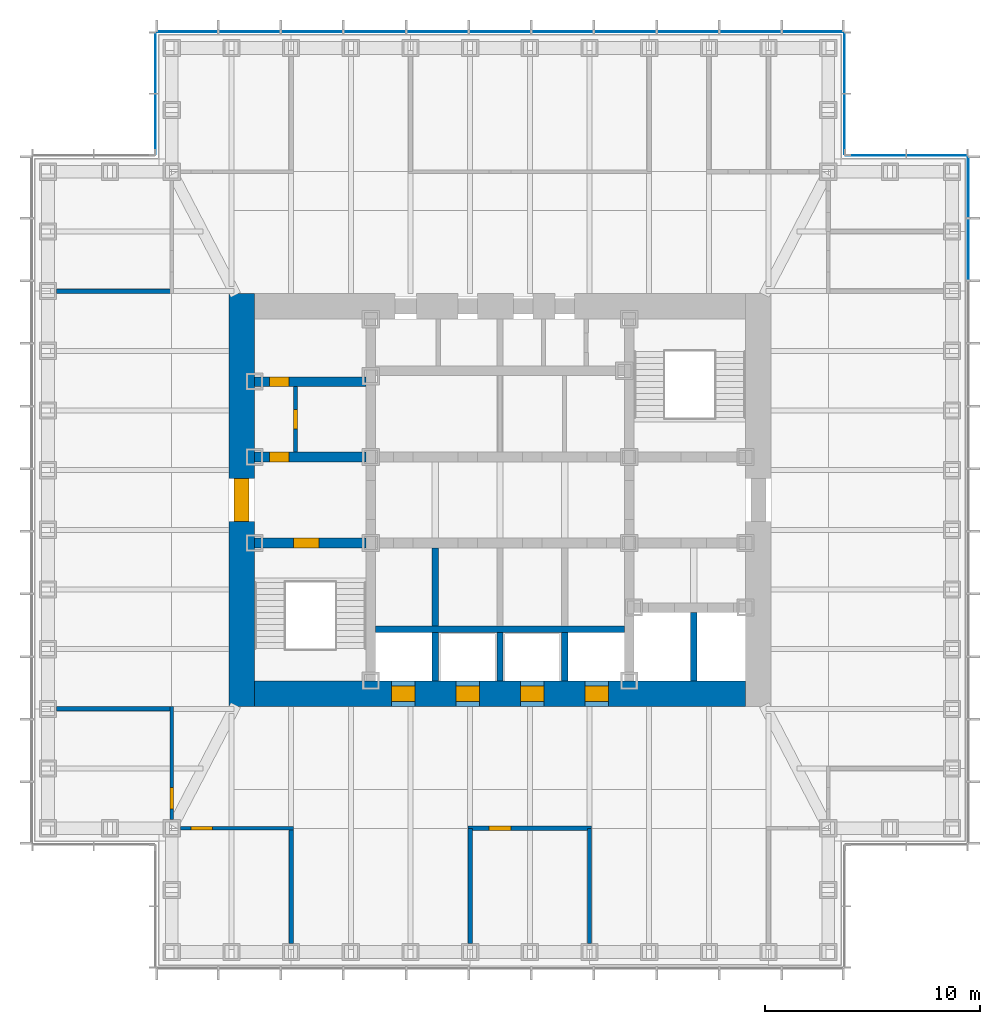
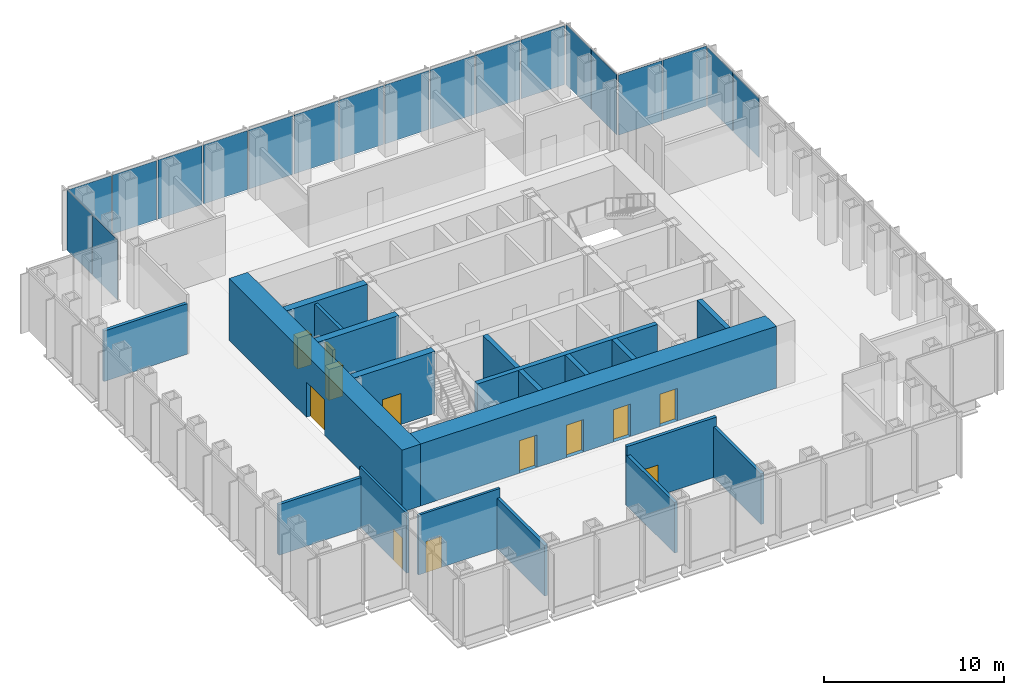
# One storey, part 8 of 16: 20 walls, 19 plates, 12 doors, 12 openings, 5 elements without a shape of their own.
"""IFC4 building model written with IfcOpenShell, lengths in metres."""

import ifcopenshell
import ifcopenshell.guid

model = None  # the IFC model being written
_history = None  # IfcOwnerHistory: only IFC2X3 demands one
_inside = {}  # id of a spatial element -> (the spatial element, [elements in it])
_under = {}  # id of a project, library or spatial element -> (it, [spatial elements below it])
_declared = {}  # id of a project -> (the project, [libraries it declares])
_typed = {}  # id of a type object -> (the type object, [elements of that type])
_made_of = {}  # id of a material, layer set ... -> (it, [elements and type objects made of it])


def new_model(schema):
    """Start an empty IFC model of exactly this schema.

    Asked for "IFC4X3", IfcOpenShell would pick the latest addendum, in which some entities
    have other attributes; the version numbers below select the first issue.
    IFC2X3 requires an IfcOwnerHistory on every rooted entity: one is made here for all.
    """
    global model, _history
    if schema == "IFC4X3":
        model = ifcopenshell.file(schema_version=(4, 3, 0, 0))
    else:
        model = ifcopenshell.file(schema=schema)
    _inside.clear()
    _under.clear()
    _declared.clear()
    _typed.clear()
    _made_of.clear()
    _history = None
    if model.schema == "IFC2X3":
        org = make("IfcOrganization", Name="unknown")
        user = make(
            "IfcPersonAndOrganization",
            ThePerson=make("IfcPerson", FamilyName="unknown"),
            TheOrganization=org,
        )
        app = make(
            "IfcApplication",
            ApplicationDeveloper=org,
            Version="unknown",
            ApplicationFullName="unknown",
            ApplicationIdentifier="unknown",
        )
        _history = make(
            "IfcOwnerHistory",
            OwningUser=user,
            OwningApplication=app,
            ChangeAction="ADDED",
            CreationDate=0,
        )
    return model


def make(cls, **values):
    """One entity of the class cls with the attributes given. An attribute that is None is left unset."""
    return model.create_entity(
        cls, **{name: value for name, value in values.items() if value is not None}
    )


def rooted(cls, **values):
    """An entity with a GlobalId (a new one), such as an element, a storey or a relation."""
    return make(cls, GlobalId=ifcopenshell.guid.new(), OwnerHistory=_history, **values)


def si_unit(unit_type, name, prefix=None):
    """IfcSIUnit, for example si_unit("LENGTHUNIT", "METRE", prefix="MILLI")."""
    return make("IfcSIUnit", UnitType=unit_type, Prefix=prefix, Name=name)


def assignment(units):
    """IfcUnitAssignment: the units of a project."""
    return None if units is None else make("IfcUnitAssignment", Units=units)


def point(xyz):
    """IfcCartesianPoint."""
    return None if xyz is None else make("IfcCartesianPoint", Coordinates=xyz)


def direction(xyz):
    """IfcDirection."""
    return None if xyz is None else make("IfcDirection", DirectionRatios=xyz)


def frame(location, z_axis=None, x_axis=None):
    """IfcAxis2Placement3D, a coordinate frame: its origin and axes. An axis left out is left unset."""
    return make(
        "IfcAxis2Placement3D",
        Location=point(location),
        Axis=direction(z_axis),
        RefDirection=direction(x_axis),
    )


def frame_2d(location, x_axis=None):
    """IfcAxis2Placement2D, a coordinate frame in the plane: its origin and x axis."""
    return make(
        "IfcAxis2Placement2D", Location=point(location), RefDirection=direction(x_axis)
    )


def origin():
    """The frame at (0, 0, 0) with its axes left unset."""
    return frame((0.0, 0.0, 0.0))


def origin_2d():
    """The frame at (0, 0) in the plane with its x axis left unset."""
    return frame_2d((0.0, 0.0))


def place(relative_to, where):
    """IfcLocalPlacement: puts the frame where relative to a parent placement (None: the world)."""
    return make(
        "IfcLocalPlacement", PlacementRelTo=relative_to, RelativePlacement=where
    )


def context(
    kind, dimensions, precision=None, world=None, true_north=None, identifier=None
):
    """IfcGeometricRepresentationContext, for example the 3D "Model" context."""
    return make(
        "IfcGeometricRepresentationContext",
        ContextIdentifier=identifier,
        ContextType=kind,
        CoordinateSpaceDimension=dimensions,
        Precision=precision,
        WorldCoordinateSystem=world,
        TrueNorth=true_north,
    )


def subcontext(parent, identifier, kind, view, scale=None):
    """IfcGeometricRepresentationSubContext, for example "Body" below "Model"."""
    return make(
        "IfcGeometricRepresentationSubContext",
        ContextIdentifier=identifier,
        ContextType=kind,
        ParentContext=parent,
        TargetScale=scale,
        TargetView=view,
    )


def project(units=None, contexts=None):
    """IfcProject with its units and contexts."""
    return rooted(
        "IfcProject",
        Name="project",
        RepresentationContexts=contexts,
        UnitsInContext=assignment(units),
    )


def spatial(cls, under=None, at=None, **own):
    """A site, building, storey or space (cls), placed at a placement, below another one or the project."""
    s = rooted(cls, ObjectPlacement=at, **own)
    if under is not None:
        _under.setdefault(under.id(), (under, []))[1].append(s)
    return s


def profile(cls, at=None, kind="AREA", **sizes):
    """A parametric profile (cls). Its sizes go by their IFC names, for example OverallWidth=200.0."""
    return make(cls, ProfileType=kind, Position=at, **sizes)


def rectangle(**sizes):
    """IfcRectangleProfileDef."""
    return profile("IfcRectangleProfileDef", **sizes)


def extrude(swept, where, along, depth):
    """IfcExtrudedAreaSolid: the profile swept, set in the frame where, extruded along a direction by depth."""
    return make(
        "IfcExtrudedAreaSolid",
        SweptArea=swept,
        Position=where,
        ExtrudedDirection=direction(along),
        Depth=depth,
    )


def shape(context_of_items, identifier, shape_type, items):
    """IfcShapeRepresentation: the items that make up one representation, for example the "Body"."""
    return make(
        "IfcShapeRepresentation",
        ContextOfItems=context_of_items,
        RepresentationIdentifier=identifier,
        RepresentationType=shape_type,
        Items=items,
    )


def material(Name=None, Category=None):
    """IfcMaterial."""
    return make("IfcMaterial", Name=Name, Category=Category)


def layer(
    of_material, thickness, ventilated=None, Name=None, Category=None, Priority=None
):
    """IfcMaterialLayer: one layer of a wall or slab, of a material (None: an air gap)."""
    return make(
        "IfcMaterialLayer",
        Material=of_material,
        LayerThickness=thickness,
        IsVentilated=ventilated,
        Name=Name,
        Category=Category,
        Priority=Priority,
    )


def layer_set(layers, Name=None):
    """IfcMaterialLayerSet."""
    return make("IfcMaterialLayerSet", MaterialLayers=layers, LayerSetName=Name)


def made_of(thing, what):
    """Note that an element or type object is made of a material, layer set ...; save() writes the relation."""
    if what is not None:
        _made_of.setdefault(what.id(), (what, []))[1].append(thing)
    return thing


def type_object(cls, material=None, **own):
    """A type object (cls), such as IfcWallType, which elements share."""
    return made_of(rooted(cls, **own), material)


def element(
    cls,
    number,
    at=None,
    inside=None,
    cuts=None,
    type_object=None,
    material=None,
    context=None,
    identifier="Body",
    shape_type=None,
    held_by="IfcProductDefinitionShape",
    body=None,
    shapes=None,
    **own,
):
    """One element of the class cls, such as IfcWall. Its Tag is "e" and its number.

    at: its placement. inside: the storey or other place that contains it. cuts: it is an
    opening in that element (IfcRelVoidsElement). A single representation is given by context,
    identifier, shape_type and body (its items); several are given by shapes. held_by: the class
    of the entity that holds the representations. save() writes the other relations.
    """
    e = rooted(cls, Tag="e%d" % number, ObjectPlacement=at, **own)
    if body is not None:
        shapes = [shape(context, identifier, shape_type, body)]
    if shapes is not None:
        e.Representation = make(held_by, Representations=shapes)
    if inside is not None:
        _inside.setdefault(inside.id(), (inside, []))[1].append(e)
    if cuts is not None:
        rooted(
            "IfcRelVoidsElement", RelatingBuildingElement=cuts, RelatedOpeningElement=e
        )
    if type_object is not None:
        _typed.setdefault(type_object.id(), (type_object, []))[1].append(e)
    return made_of(e, material)


def fill(opening, filler):
    """IfcRelFillsElement: the door or window that sits in an opening."""
    return rooted(
        "IfcRelFillsElement",
        RelatingOpeningElement=opening,
        RelatedBuildingElement=filler,
    )


def aggregate(whole, parts):
    """IfcRelAggregates: a whole, such as a stair, and the parts it consists of."""
    return rooted("IfcRelAggregates", RelatingObject=whole, RelatedObjects=parts)


def save(model, path):
    """Write the relations noted so far, then the file.

    IfcRelAggregates (storeys below a building ...), IfcRelContainedInSpatialStructure (elements
    in a storey), IfcRelDefinesByType, IfcRelAssociatesMaterial and IfcRelDeclares: one each for
    every whole, place, type object, material and project.
    """
    for whole, parts in _under.values():
        aggregate(whole, parts)
    for where, things in _inside.values():
        rooted(
            "IfcRelContainedInSpatialStructure",
            RelatedElements=things,
            RelatingStructure=where,
        )
    for kind, things in _typed.values():
        rooted("IfcRelDefinesByType", RelatedObjects=things, RelatingType=kind)
    for what, things in _made_of.values():
        rooted("IfcRelAssociatesMaterial", RelatedObjects=things, RelatingMaterial=what)
    for by, libraries in _declared.values():
        rooted("IfcRelDeclares", RelatingContext=by, RelatedDefinitions=libraries)
    model.write(path)


model = new_model("IFC4")

# Units and contexts
model_context = context("Model", 3, precision=1e-05, world=origin(), true_north=direction((0.0, 1.0)))
body_context = subcontext(model_context, "Body", "Model", "MODEL_VIEW")
ifc_project = project(units=[si_unit("LENGTHUNIT", "METRE"), si_unit("AREAUNIT", "SQUARE_METRE"), si_unit("VOLUMEUNIT", "CUBIC_METRE"), si_unit("PLANEANGLEUNIT", "RADIAN"), si_unit("MASSUNIT", "GRAM", prefix="KILO")], contexts=[model_context])

# Site, building, storey
site_placement = place(None, origin())
site = spatial("IfcSite", under=ifc_project, at=site_placement, CompositionType="ELEMENT")
building_placement = place(site_placement, origin())
building = spatial("IfcBuilding", under=site, at=building_placement, Name="Daluyong Arena Tower", CompositionType="ELEMENT")
storey_placement = place(building_placement, frame((0.0, 0.0, 254.5)))
storey = spatial("IfcBuildingStorey", under=building, at=storey_placement, Name="L57", CompositionType="ELEMENT", Elevation=254.5)

# Curtain wall, plates
ifc_material_1 = material(Name="Bronze anodised aluminium and glass", Category="aluminium")
curtain_wall_type_1 = type_object("IfcCurtainWallType", Name="Curtain wall CW4", PredefinedType="USERDEFINED", material=ifc_material_1)
curtain_wall_1_placement = place(storey_placement, origin())
curtain_wall_1 = element("IfcCurtainWall", 1, at=curtain_wall_1_placement, inside=storey, type_object=curtain_wall_type_1, Name="curtain wall L57 E", ObjectType="UNITISED CURTAIN WALL", PredefinedType="USERDEFINED")
ifc_material_2 = material(Name="Tinted laminated double glazed unit", Category="glass")
ifc_layer_1 = layer(ifc_material_2, 0.035888671875)
ifc_layer_set_1 = layer_set([ifc_layer_1], Name="Tinted laminated double glazed unit")
plate_type_1 = type_object("IfcPlateType", Name="CW4 panel 36", PredefinedType="CURTAIN_PANEL", material=ifc_layer_set_1)
plate_1_placement = place(storey_placement, frame((77.75, 91.636474609375, 0.0), z_axis=(0.0, 0.0, 1.0), x_axis=(0.0, 1.0, 0.0)))
plate_1 = element("IfcPlate", 2, at=plate_1_placement, type_object=plate_type_1, Name="curtain wall L57 E panel 10", PredefinedType="CURTAIN_PANEL", context=body_context, shape_type="SweptSolid", body=[
    extrude(rectangle(XDim=2.819091796875, YDim=0.035888671875, at=origin_2d()), origin(), (0.0, 0.0, 1.0), 4.0),
])
plate_2_placement = place(storey_placement, frame((77.75, 94.52294921875, 0.0), z_axis=(0.0, 0.0, 1.0), x_axis=(0.0, 1.0, 0.0)))
plate_2 = element("IfcPlate", 3, at=plate_2_placement, type_object=plate_type_1, Name="curtain wall L57 E panel 11", PredefinedType="CURTAIN_PANEL", context=body_context, shape_type="SweptSolid", body=[
    extrude(rectangle(XDim=2.774169921875, YDim=0.035888671875, at=origin_2d()), origin(), (0.0, 0.0, 1.0), 4.0),
])
aggregate(curtain_wall_1, [plate_1, plate_2])

curtain_wall_2_placement = place(storey_placement, origin())
curtain_wall_2 = element("IfcCurtainWall", 4, at=curtain_wall_2_placement, inside=storey, type_object=curtain_wall_type_1, Name="curtain wall L57 N", ObjectType="UNITISED CURTAIN WALL", PredefinedType="USERDEFINED")
plate_3_placement = place(storey_placement, frame((70.52294921875, 101.75, 0.0), z_axis=(0.0, 0.0, 1.0), x_axis=(-1.0, 0.0, 0.0)))
plate_3 = element("IfcPlate", 5, at=plate_3_placement, type_object=plate_type_1, Name="curtain wall L57 N panel 1", PredefinedType="CURTAIN_PANEL", context=body_context, shape_type="SweptSolid", body=[
    extrude(rectangle(XDim=2.774169921875, YDim=0.035888671875, at=origin_2d()), origin(), (0.0, 0.0, 1.0), 4.0),
])
plate_4_placement = place(storey_placement, frame((67.636474609375, 101.75, 0.0), z_axis=(0.0, 0.0, 1.0), x_axis=(-1.0, 0.0, 0.0)))
plate_4 = element("IfcPlate", 6, at=plate_4_placement, type_object=plate_type_1, Name="curtain wall L57 N panel 2", PredefinedType="CURTAIN_PANEL", context=body_context, shape_type="SweptSolid", body=[
    extrude(rectangle(XDim=2.819091796875, YDim=0.035888671875, at=origin_2d()), origin(), (0.0, 0.0, 1.0), 4.0),
])
plate_5_placement = place(storey_placement, frame((64.727294921875, 101.75, 0.0), z_axis=(0.0, 0.0, 1.0), x_axis=(-1.0, 0.0, 0.0)))
plate_5 = element("IfcPlate", 7, at=plate_5_placement, type_object=plate_type_1, Name="curtain wall L57 N panel 3", PredefinedType="CURTAIN_PANEL", context=body_context, shape_type="SweptSolid", body=[
    extrude(rectangle(XDim=2.819091796875, YDim=0.035888671875, at=origin_2d()), origin(), (0.0, 0.0, 1.0), 4.0),
])
plate_6_placement = place(storey_placement, frame((61.818115234375, 101.75, 0.0), z_axis=(0.0, 0.0, 1.0), x_axis=(-1.0, 0.0, 0.0)))
plate_6 = element("IfcPlate", 8, at=plate_6_placement, type_object=plate_type_1, Name="curtain wall L57 N panel 4", PredefinedType="CURTAIN_PANEL", context=body_context, shape_type="SweptSolid", body=[
    extrude(rectangle(XDim=2.819091796875, YDim=0.035888671875, at=origin_2d()), origin(), (0.0, 0.0, 1.0), 4.0),
])
plate_7_placement = place(storey_placement, frame((58.9091796875, 101.75, 0.0), z_axis=(0.0, 0.0, 1.0), x_axis=(-1.0, 0.0, 0.0)))
plate_7 = element("IfcPlate", 9, at=plate_7_placement, type_object=plate_type_1, Name="curtain wall L57 N panel 5", PredefinedType="CURTAIN_PANEL", context=body_context, shape_type="SweptSolid", body=[
    extrude(rectangle(XDim=2.819091796875, YDim=0.035888671875, at=origin_2d()), origin(), (0.0, 0.0, 1.0), 4.0),
])
plate_8_placement = place(storey_placement, frame((56.0, 101.75, 0.0), z_axis=(0.0, 0.0, 1.0), x_axis=(-1.0, 0.0, 0.0)))
plate_8 = element("IfcPlate", 10, at=plate_8_placement, type_object=plate_type_1, Name="curtain wall L57 N panel 6", PredefinedType="CURTAIN_PANEL", context=body_context, shape_type="SweptSolid", body=[
    extrude(rectangle(XDim=2.819091796875, YDim=0.035888671875, at=origin_2d()), origin(), (0.0, 0.0, 1.0), 4.0),
])
plate_9_placement = place(storey_placement, frame((53.0908203125, 101.75, 0.0), z_axis=(0.0, 0.0, 1.0), x_axis=(-1.0, 0.0, 0.0)))
plate_9 = element("IfcPlate", 11, at=plate_9_placement, type_object=plate_type_1, Name="curtain wall L57 N panel 7", PredefinedType="CURTAIN_PANEL", context=body_context, shape_type="SweptSolid", body=[
    extrude(rectangle(XDim=2.819091796875, YDim=0.035888671875, at=origin_2d()), origin(), (0.0, 0.0, 1.0), 4.0),
])
plate_10_placement = place(storey_placement, frame((50.181884765625, 101.75, 0.0), z_axis=(0.0, 0.0, 1.0), x_axis=(-1.0, 0.0, 0.0)))
plate_10 = element("IfcPlate", 12, at=plate_10_placement, type_object=plate_type_1, Name="curtain wall L57 N panel 8", PredefinedType="CURTAIN_PANEL", context=body_context, shape_type="SweptSolid", body=[
    extrude(rectangle(XDim=2.819091796875, YDim=0.035888671875, at=origin_2d()), origin(), (0.0, 0.0, 1.0), 4.0),
])
plate_11_placement = place(storey_placement, frame((47.272705078125, 101.75, 0.0), z_axis=(0.0, 0.0, 1.0), x_axis=(-1.0, 0.0, 0.0)))
plate_11 = element("IfcPlate", 13, at=plate_11_placement, type_object=plate_type_1, Name="curtain wall L57 N panel 9", PredefinedType="CURTAIN_PANEL", context=body_context, shape_type="SweptSolid", body=[
    extrude(rectangle(XDim=2.819091796875, YDim=0.035888671875, at=origin_2d()), origin(), (0.0, 0.0, 1.0), 4.0),
])
plate_12_placement = place(storey_placement, frame((44.363525390625, 101.75, 0.0), z_axis=(0.0, 0.0, 1.0), x_axis=(-1.0, 0.0, 0.0)))
plate_12 = element("IfcPlate", 14, at=plate_12_placement, type_object=plate_type_1, Name="curtain wall L57 N panel 10", PredefinedType="CURTAIN_PANEL", context=body_context, shape_type="SweptSolid", body=[
    extrude(rectangle(XDim=2.819091796875, YDim=0.035888671875, at=origin_2d()), origin(), (0.0, 0.0, 1.0), 4.0),
])
plate_13_placement = place(storey_placement, frame((41.47705078125, 101.75, 0.0), z_axis=(0.0, 0.0, 1.0), x_axis=(-1.0, 0.0, 0.0)))
plate_13 = element("IfcPlate", 15, at=plate_13_placement, type_object=plate_type_1, Name="curtain wall L57 N panel 11", PredefinedType="CURTAIN_PANEL", context=body_context, shape_type="SweptSolid", body=[
    extrude(rectangle(XDim=2.774169921875, YDim=0.035888671875, at=origin_2d()), origin(), (0.0, 0.0, 1.0), 4.0),
])
aggregate(curtain_wall_2, [plate_3, plate_4, plate_5, plate_6, plate_7, plate_8, plate_9, plate_10, plate_11, plate_12, plate_13])

ifc_material_3 = material(Name="Bronze anodised aluminium and glass", Category="aluminium")
curtain_wall_type_2 = type_object("IfcCurtainWallType", Name="Curtain wall CW7", PredefinedType="USERDEFINED", material=ifc_material_3)
curtain_wall_3_placement = place(storey_placement, origin())
curtain_wall_3 = element("IfcCurtainWall", 16, at=curtain_wall_3_placement, inside=storey, type_object=curtain_wall_type_2, Name="curtain wall L57 NE-N", ObjectType="UNITISED CURTAIN WALL", PredefinedType="USERDEFINED")
ifc_material_4 = material(Name="Tinted double glazed unit", Category="glass")
ifc_layer_2 = layer(ifc_material_4, 0.028076171875)
ifc_layer_set_2 = layer_set([ifc_layer_2], Name="Tinted double glazed unit")
plate_type_2 = type_object("IfcPlateType", Name="CW7 panel 28", PredefinedType="CURTAIN_PANEL", material=ifc_layer_set_2)
plate_14_placement = place(storey_placement, frame((76.297607421875, 96.0, 0.0), z_axis=(0.0, 0.0, 1.0), x_axis=(-1.0, 0.0, 0.0)))
plate_14 = element("IfcPlate", 17, at=plate_14_placement, type_object=plate_type_2, Name="curtain wall L57 NE-N panel 1", PredefinedType="CURTAIN_PANEL", context=body_context, shape_type="SweptSolid", body=[
    extrude(rectangle(XDim=2.784912109375, YDim=0.028076171875, at=origin_2d()), origin(), (0.0, 0.0, 1.0), 4.080078125),
])
plate_15_placement = place(storey_placement, frame((73.452392578125, 96.0, 0.0), z_axis=(0.0, 0.0, 1.0), x_axis=(-1.0, 0.0, 0.0)))
plate_15 = element("IfcPlate", 18, at=plate_15_placement, type_object=plate_type_2, Name="curtain wall L57 NE-N panel 2", PredefinedType="CURTAIN_PANEL", context=body_context, shape_type="SweptSolid", body=[
    extrude(rectangle(XDim=2.784912109375, YDim=0.028076171875, at=origin_2d()), origin(), (0.0, 0.0, 1.0), 4.080078125),
])
aggregate(curtain_wall_3, [plate_14, plate_15])

curtain_wall_4_placement = place(storey_placement, origin())
curtain_wall_4 = element("IfcCurtainWall", 19, at=curtain_wall_4_placement, inside=storey, type_object=curtain_wall_type_2, Name="curtain wall L57 NE-E", ObjectType="UNITISED CURTAIN WALL", PredefinedType="USERDEFINED")
plate_16_placement = place(storey_placement, frame((72.0, 97.452392578125, 0.0), z_axis=(0.0, 0.0, 1.0), x_axis=(0.0, 1.0, 0.0)))
plate_16 = element("IfcPlate", 20, at=plate_16_placement, type_object=plate_type_2, Name="curtain wall L57 NE-E panel 1", PredefinedType="CURTAIN_PANEL", context=body_context, shape_type="SweptSolid", body=[
    extrude(rectangle(XDim=2.784912109375, YDim=0.028076171875, at=origin_2d()), origin(), (0.0, 0.0, 1.0), 4.080078125),
])
plate_17_placement = place(storey_placement, frame((72.0, 100.297607421875, 0.0), z_axis=(0.0, 0.0, 1.0), x_axis=(0.0, 1.0, 0.0)))
plate_17 = element("IfcPlate", 21, at=plate_17_placement, type_object=plate_type_2, Name="curtain wall L57 NE-E panel 2", PredefinedType="CURTAIN_PANEL", context=body_context, shape_type="SweptSolid", body=[
    extrude(rectangle(XDim=2.784912109375, YDim=0.028076171875, at=origin_2d()), origin(), (0.0, 0.0, 1.0), 4.080078125),
])
aggregate(curtain_wall_4, [plate_16, plate_17])

curtain_wall_5_placement = place(storey_placement, origin())
curtain_wall_5 = element("IfcCurtainWall", 22, at=curtain_wall_5_placement, inside=storey, type_object=curtain_wall_type_2, Name="curtain wall L57 NW-W", ObjectType="UNITISED CURTAIN WALL", PredefinedType="USERDEFINED")
plate_18_placement = place(storey_placement, frame((40.0, 100.297607421875, 0.0), z_axis=(0.0, 0.0, 1.0), x_axis=(0.0, -1.0, 0.0)))
plate_18 = element("IfcPlate", 23, at=plate_18_placement, type_object=plate_type_2, Name="curtain wall L57 NW-W panel 1", PredefinedType="CURTAIN_PANEL", context=body_context, shape_type="SweptSolid", body=[
    extrude(rectangle(XDim=2.784912109375, YDim=0.028076171875, at=origin_2d()), origin(), (0.0, 0.0, 1.0), 4.080078125),
])
plate_19_placement = place(storey_placement, frame((40.0, 97.452392578125, 0.0), z_axis=(0.0, 0.0, 1.0), x_axis=(0.0, -1.0, 0.0)))
plate_19 = element("IfcPlate", 24, at=plate_19_placement, type_object=plate_type_2, Name="curtain wall L57 NW-W panel 2", PredefinedType="CURTAIN_PANEL", context=body_context, shape_type="SweptSolid", body=[
    extrude(rectangle(XDim=2.784912109375, YDim=0.028076171875, at=origin_2d()), origin(), (0.0, 0.0, 1.0), 4.080078125),
])
aggregate(curtain_wall_5, [plate_18, plate_19])

# Wall, opening, door
ifc_material_5 = material(Name="Concrete fc' 45 MPa", Category="concrete")
ifc_layer_3 = layer(ifc_material_5, 0.449951171875)
ifc_layer_set_3 = layer_set([ifc_layer_3], Name="Concrete fc' 45 MPa")
wall_type_1 = type_object("IfcWallType", Name="Core inner wall 450", PredefinedType="SHEAR", material=ifc_layer_set_3)
wall_1_placement = place(storey_placement, frame((44.60009765625, 78.0, 0.0), z_axis=(0.0, 0.0, 1.0), x_axis=(1.0, 0.0, 0.0)))
wall_1 = element("IfcWall", 25, at=wall_1_placement, inside=storey, type_object=wall_type_1, Name="core inner wall at L57", PredefinedType="SHEAR", context=body_context, shape_type="SweptSolid", body=[
    extrude(rectangle(XDim=5.1748046875, YDim=0.449951171875, at=frame_2d((2.58740234375, 0.0))), origin(), (0.0, 0.0, 1.0), 4.199951171875),
])
opening_1_placement = place(wall_1_placement, frame((1.800048828125, 0.0, 0.0)))
opening_1 = element("IfcOpeningElement", 26, at=opening_1_placement, cuts=wall_1, Name="Opening 57017", PredefinedType="OPENING", context=body_context, shape_type="SweptSolid", body=[
    extrude(rectangle(XDim=1.199951171875, YDim=2.10009765625, at=frame_2d((0.60009765625, 1.050048828125))), frame((0.0, 0.23486328125, 0.0), z_axis=(0.0, -1.0, 0.0), x_axis=(1.0, 0.0, 0.0)), (0.0, 0.0, 1.0), 0.469970703125),
])
ifc_material_6 = material(Name="Steel door, fire rated", Category="steel")
door_type_1 = type_object("IfcDoorType", Name="Stair door 1200", OperationType="SINGLE_SWING_LEFT", PredefinedType="DOOR", material=ifc_material_6)
door_1_placement = place(opening_1_placement, origin())
door_1 = element("IfcDoor", 27, at=door_1_placement, inside=storey, type_object=door_type_1, Name="stair A door 57017", OperationType="SINGLE_SWING_LEFT", OverallHeight=2.10009765625, OverallWidth=1.199951171875, PredefinedType="DOOR", context=body_context, shape_type="SweptSolid", body=[
    extrude(rectangle(XDim=1.199951171875, YDim=2.10009765625, at=frame_2d((0.60009765625, 1.050048828125))), frame((0.0, 0.224609375, 0.0), z_axis=(0.0, -1.0, 0.0), x_axis=(1.0, 0.0, 0.0)), (0.0, 0.0, 1.0), 0.449462890625),
])
fill(opening_1, door_1)

wall_2_placement = place(storey_placement, frame((44.60009765625, 82.0, 0.0), z_axis=(0.0, 0.0, 1.0), x_axis=(1.0, 0.0, 0.0)))
wall_2 = element("IfcWall", 28, at=wall_2_placement, inside=storey, type_object=wall_type_1, Name="core inner wall at L57", PredefinedType="SHEAR", context=body_context, shape_type="SweptSolid", body=[
    extrude(rectangle(XDim=5.1748046875, YDim=0.449951171875, at=frame_2d((2.58740234375, 0.0))), origin(), (0.0, 0.0, 1.0), 4.199951171875),
])
opening_2_placement = place(wall_2_placement, frame((0.699951171875, 0.0, 0.0)))
opening_2 = element("IfcOpeningElement", 29, at=opening_2_placement, cuts=wall_2, Name="Opening 57001", PredefinedType="OPENING", context=body_context, shape_type="SweptSolid", body=[
    extrude(rectangle(XDim=0.89990234375, YDim=2.10009765625, at=frame_2d((0.449951171875, 1.050048828125))), frame((0.0, 0.23486328125, 0.0), z_axis=(0.0, -1.0, 0.0), x_axis=(1.0, 0.0, 0.0)), (0.0, 0.0, 1.0), 0.469970703125),
])
ifc_material_7 = material(Name="Steel door, fire rated", Category="steel")
door_type_2 = type_object("IfcDoorType", Name="Core room door 900", OperationType="SINGLE_SWING_LEFT", PredefinedType="DOOR", material=ifc_material_7)
door_2_placement = place(opening_2_placement, origin())
door_2 = element("IfcDoor", 30, at=door_2_placement, inside=storey, type_object=door_type_2, Name="toilet lobby door 57001", OperationType="SINGLE_SWING_LEFT", OverallHeight=2.10009765625, OverallWidth=0.89990234375, PredefinedType="DOOR", context=body_context, shape_type="SweptSolid", body=[
    extrude(rectangle(XDim=0.89990234375, YDim=2.10009765625, at=frame_2d((0.449951171875, 1.050048828125))), frame((0.0, 0.224609375, 0.0), z_axis=(0.0, -1.0, 0.0), x_axis=(1.0, 0.0, 0.0)), (0.0, 0.0, 1.0), 0.449462890625),
])
fill(opening_2, door_2)

wall_3_placement = place(storey_placement, frame((44.60009765625, 85.5, 0.0), z_axis=(0.0, 0.0, 1.0), x_axis=(1.0, 0.0, 0.0)))
wall_3 = element("IfcWall", 31, at=wall_3_placement, inside=storey, type_object=wall_type_1, Name="core inner wall at L57", PredefinedType="SHEAR", context=body_context, shape_type="SweptSolid", body=[
    extrude(rectangle(XDim=5.1748046875, YDim=0.449951171875, at=frame_2d((2.58740234375, 0.0))), origin(), (0.0, 0.0, 1.0), 4.199951171875),
])
opening_3_placement = place(wall_3_placement, frame((0.699951171875, 0.0, 0.0)))
opening_3 = element("IfcOpeningElement", 32, at=opening_3_placement, cuts=wall_3, Name="Opening 57003", PredefinedType="OPENING", context=body_context, shape_type="SweptSolid", body=[
    extrude(rectangle(XDim=0.89990234375, YDim=2.10009765625, at=frame_2d((0.449951171875, 1.050048828125))), frame((0.0, 0.23486328125, 0.0), z_axis=(0.0, -1.0, 0.0), x_axis=(1.0, 0.0, 0.0)), (0.0, 0.0, 1.0), 0.469970703125),
])
ifc_material_8 = material(Name="Timber door", Category="wood")
door_type_3 = type_object("IfcDoorType", Name="Toilet door 900", OperationType="SINGLE_SWING_RIGHT", PredefinedType="DOOR", material=ifc_material_8)
door_3_placement = place(opening_3_placement, origin())
door_3 = element("IfcDoor", 33, at=door_3_placement, inside=storey, type_object=door_type_3, Name="female toilet door 57003", OperationType="SINGLE_SWING_RIGHT", OverallHeight=2.10009765625, OverallWidth=0.89990234375, PredefinedType="DOOR", context=body_context, shape_type="SweptSolid", body=[
    extrude(rectangle(XDim=0.89990234375, YDim=2.10009765625, at=frame_2d((0.449951171875, 1.050048828125))), frame((0.0, 0.224609375, 0.0), z_axis=(0.0, -1.0, 0.0), x_axis=(1.0, 0.0, 0.0)), (0.0, 0.0, 1.0), 0.449462890625),
])
fill(opening_3, door_3)

ifc_material_9 = material(Name="Concrete fc' 60 MPa", Category="concrete")
ifc_layer_4 = layer(ifc_material_9, 1.199951171875)
ifc_layer_set_4 = layer_set([ifc_layer_4], Name="Concrete fc' 60 MPa")
wall_type_2 = type_object("IfcWallType", Name="Core wall 1200", PredefinedType="SHEAR", material=ifc_layer_set_4)
wall_4_placement = place(storey_placement, frame((44.0, 70.39990234375, 0.0), z_axis=(0.0, 0.0, 1.0), x_axis=(0.0, 1.0, 0.0)))
wall_4 = element("IfcWall", 34, at=wall_4_placement, inside=storey, type_object=wall_type_2, Name="core wall at L57", PredefinedType="SHEAR", context=body_context, shape_type="SweptSolid", body=[
    extrude(rectangle(XDim=19.2001953125, YDim=1.199951171875, at=frame_2d((9.60009765625, 0.0))), origin(), (0.0, 0.0, 1.0), 4.199951171875),
])
opening_4_placement = place(wall_4_placement, frame((8.60009765625, 0.0, 0.0)))
opening_4 = element("IfcOpeningElement", 35, at=opening_4_placement, cuts=wall_4, Name="Opening 57019", PredefinedType="OPENING", context=body_context, shape_type="SweptSolid", body=[
    extrude(rectangle(XDim=2.0, YDim=2.39990234375, at=frame_2d((1.0, 1.199951171875))), frame((0.0, 0.60986328125, 0.0), z_axis=(0.0, -1.0, 0.0), x_axis=(1.0, 0.0, 0.0)), (0.0, 0.0, 1.0), 1.219970703125),
])
ifc_material_10 = material(Name="Steel door, fire rated", Category="steel")
door_type_4 = type_object("IfcDoorType", Name="Core lobby double door 2000", OperationType="DOUBLE_DOOR_SINGLE_SWING", PredefinedType="DOOR", material=ifc_material_10)
door_4_placement = place(opening_4_placement, origin())
door_4 = element("IfcDoor", 36, at=door_4_placement, inside=storey, type_object=door_type_4, Name="core lobby door west 57019", OperationType="DOUBLE_DOOR_SINGLE_SWING", OverallHeight=2.39990234375, OverallWidth=2.0, PredefinedType="DOOR", context=body_context, shape_type="SweptSolid", body=[
    extrude(rectangle(XDim=2.0, YDim=2.39990234375, at=frame_2d((1.0, 1.199951171875))), frame((0.0, 0.35009765625, 0.0), z_axis=(0.0, -1.0, 0.0), x_axis=(1.0, 0.0, 0.0)), (0.0, 0.0, 1.0), 0.699951171875),
])
fill(opening_4, door_4)

# Wall, openings, doors
wall_5_placement = place(storey_placement, frame((44.60009765625, 71.0, 0.0), z_axis=(0.0, 0.0, 1.0), x_axis=(1.0, 0.0, 0.0)))
wall_5 = element("IfcWall", 37, at=wall_5_placement, inside=storey, type_object=wall_type_2, Name="core wall at L57", PredefinedType="SHEAR", context=body_context, shape_type="SweptSolid", body=[
    extrude(rectangle(XDim=22.7998046875, YDim=1.199951171875, at=frame_2d((11.39990234375, 0.0))), origin(), (0.0, 0.0, 1.0), 4.199951171875),
])
opening_5_placement = place(wall_5_placement, frame((6.35009765625, 0.0, 0.0)))
opening_5 = element("IfcOpeningElement", 38, at=opening_5_placement, cuts=wall_5, Name="Opening 57024", PredefinedType="OPENING", context=body_context, shape_type="SweptSolid", body=[
    extrude(rectangle(XDim=1.10009765625, YDim=2.199951171875, at=frame_2d((0.550048828125, 1.10009765625))), frame((0.0, 0.60986328125, 0.0), z_axis=(0.0, -1.0, 0.0), x_axis=(1.0, 0.0, 0.0)), (0.0, 0.0, 1.0), 1.219970703125),
])
opening_6_placement = place(wall_5_placement, frame((9.35009765625, 0.0, 0.0)))
opening_6 = element("IfcOpeningElement", 39, at=opening_6_placement, cuts=wall_5, Name="Opening 57025", PredefinedType="OPENING", context=body_context, shape_type="SweptSolid", body=[
    extrude(rectangle(XDim=1.10009765625, YDim=2.199951171875, at=frame_2d((0.550048828125, 1.10009765625))), frame((0.0, 0.60986328125, 0.0), z_axis=(0.0, -1.0, 0.0), x_axis=(1.0, 0.0, 0.0)), (0.0, 0.0, 1.0), 1.219970703125),
])
opening_7_placement = place(wall_5_placement, frame((12.35009765625, 0.0, 0.0)))
opening_7 = element("IfcOpeningElement", 40, at=opening_7_placement, cuts=wall_5, Name="Opening 57026", PredefinedType="OPENING", context=body_context, shape_type="SweptSolid", body=[
    extrude(rectangle(XDim=1.10009765625, YDim=2.199951171875, at=frame_2d((0.550048828125, 1.10009765625))), frame((0.0, 0.60986328125, 0.0), z_axis=(0.0, -1.0, 0.0), x_axis=(1.0, 0.0, 0.0)), (0.0, 0.0, 1.0), 1.219970703125),
])
opening_8_placement = place(wall_5_placement, frame((15.35009765625, 0.0, 0.0)))
opening_8 = element("IfcOpeningElement", 41, at=opening_8_placement, cuts=wall_5, Name="Opening 57027", PredefinedType="OPENING", context=body_context, shape_type="SweptSolid", body=[
    extrude(rectangle(XDim=1.10009765625, YDim=2.199951171875, at=frame_2d((0.550048828125, 1.10009765625))), frame((0.0, 0.60986328125, 0.0), z_axis=(0.0, -1.0, 0.0), x_axis=(1.0, 0.0, 0.0)), (0.0, 0.0, 1.0), 1.219970703125),
])
ifc_material_11 = material(Name="Steel door, fire rated", Category="steel")
door_type_5 = type_object("IfcDoorType", Name="Lift landing door 1100", OperationType="SLIDING_TO_LEFT", PredefinedType="DOOR", material=ifc_material_11)
door_5_placement = place(opening_5_placement, origin())
door_5 = element("IfcDoor", 42, at=door_5_placement, inside=storey, type_object=door_type_5, Name="lift landing door C1 57024", OperationType="SLIDING_TO_LEFT", OverallHeight=2.199951171875, OverallWidth=1.10009765625, PredefinedType="DOOR", context=body_context, shape_type="SweptSolid", body=[
    extrude(rectangle(XDim=1.10009765625, YDim=2.199951171875, at=frame_2d((0.550048828125, 1.10009765625))), frame((0.0, 0.35009765625, 0.0), z_axis=(0.0, -1.0, 0.0), x_axis=(1.0, 0.0, 0.0)), (0.0, 0.0, 1.0), 0.699951171875),
])
fill(opening_5, door_5)
door_6_placement = place(opening_6_placement, origin())
door_6 = element("IfcDoor", 43, at=door_6_placement, inside=storey, type_object=door_type_5, Name="lift landing door C2 57025", OperationType="SLIDING_TO_LEFT", OverallHeight=2.199951171875, OverallWidth=1.10009765625, PredefinedType="DOOR", context=body_context, shape_type="SweptSolid", body=[
    extrude(rectangle(XDim=1.10009765625, YDim=2.199951171875, at=frame_2d((0.550048828125, 1.10009765625))), frame((0.0, 0.35009765625, 0.0), z_axis=(0.0, -1.0, 0.0), x_axis=(1.0, 0.0, 0.0)), (0.0, 0.0, 1.0), 0.699951171875),
])
fill(opening_6, door_6)
door_7_placement = place(opening_7_placement, origin())
door_7 = element("IfcDoor", 44, at=door_7_placement, inside=storey, type_object=door_type_5, Name="lift landing door C3 57026", OperationType="SLIDING_TO_LEFT", OverallHeight=2.199951171875, OverallWidth=1.10009765625, PredefinedType="DOOR", context=body_context, shape_type="SweptSolid", body=[
    extrude(rectangle(XDim=1.10009765625, YDim=2.199951171875, at=frame_2d((0.550048828125, 1.10009765625))), frame((0.0, 0.35009765625, 0.0), z_axis=(0.0, -1.0, 0.0), x_axis=(1.0, 0.0, 0.0)), (0.0, 0.0, 1.0), 0.699951171875),
])
fill(opening_7, door_7)
door_8_placement = place(opening_8_placement, origin())
door_8 = element("IfcDoor", 45, at=door_8_placement, inside=storey, type_object=door_type_5, Name="lift landing door C4 57027", OperationType="SLIDING_TO_LEFT", OverallHeight=2.199951171875, OverallWidth=1.10009765625, PredefinedType="DOOR", context=body_context, shape_type="SweptSolid", body=[
    extrude(rectangle(XDim=1.10009765625, YDim=2.199951171875, at=frame_2d((0.550048828125, 1.10009765625))), frame((0.0, 0.35009765625, 0.0), z_axis=(0.0, -1.0, 0.0), x_axis=(1.0, 0.0, 0.0)), (0.0, 0.0, 1.0), 0.699951171875),
])
fill(opening_8, door_8)

# Wall, opening, door
ifc_material_12 = material(Name="Concrete block partition, fire rated", Category="concrete")
ifc_layer_5 = layer(ifc_material_12, 0.199951171875)
ifc_layer_set_5 = layer_set([ifc_layer_5], Name="Concrete block partition, fire rated")
wall_type_3 = type_object("IfcWallType", Name="Fire-rated partition 200", PredefinedType="PARTITIONING", material=ifc_layer_set_5)
wall_6_placement = place(storey_placement, frame((46.5, 82.22509765625, 0.0), z_axis=(0.0, 0.0, 1.0), x_axis=(0.0, 1.0, 0.0)))
wall_6 = element("IfcWall", 46, at=wall_6_placement, inside=storey, type_object=wall_type_3, Name="toilet lobby partition at L57", PredefinedType="PARTITIONING", context=body_context, shape_type="SweptSolid", body=[
    extrude(rectangle(XDim=3.0498046875, YDim=0.199951171875, at=frame_2d((1.52490234375, 0.0))), origin(), (0.0, 0.0, 1.0), 4.0400390625),
])
opening_9_placement = place(wall_6_placement, frame((1.074951171875, 0.0, 0.0)))
opening_9 = element("IfcOpeningElement", 47, at=opening_9_placement, cuts=wall_6, Name="Opening 57002", PredefinedType="OPENING", context=body_context, shape_type="SweptSolid", body=[
    extrude(rectangle(XDim=0.89990234375, YDim=2.10009765625, at=frame_2d((0.449951171875, 1.050048828125))), frame((0.0, 0.10986328125, 0.0), z_axis=(0.0, -1.0, 0.0), x_axis=(1.0, 0.0, 0.0)), (0.0, 0.0, 1.0), 0.219970703125),
])
door_9_placement = place(opening_9_placement, origin())
door_9 = element("IfcDoor", 48, at=door_9_placement, inside=storey, type_object=door_type_3, Name="male toilet door 57002", OperationType="SINGLE_SWING_RIGHT", OverallHeight=2.10009765625, OverallWidth=0.89990234375, PredefinedType="DOOR", context=body_context, shape_type="SweptSolid", body=[
    extrude(rectangle(XDim=0.89990234375, YDim=2.10009765625, at=frame_2d((0.449951171875, 1.050048828125))), frame((0.0, 0.099609375, 0.0), z_axis=(0.0, -1.0, 0.0), x_axis=(1.0, 0.0, 0.0)), (0.0, 0.0, 1.0), 0.199462890625),
])
fill(opening_9, door_9)

ifc_material_13 = material(Name="Glazed aluminium partition", Category="aluminium")
ifc_layer_6 = layer(ifc_material_13, 0.14990234375)
ifc_layer_set_6 = layer_set([ifc_layer_6], Name="Glazed aluminium partition")
wall_type_4 = type_object("IfcWallType", Name="Glazed partition 150", PredefinedType="PARTITIONING", material=ifc_layer_set_6)
wall_7_placement = place(storey_placement, frame((41.14990234375, 64.75, 0.0), z_axis=(0.0, 0.0, 1.0), x_axis=(1.0, 0.0, 0.0)))
wall_7 = element("IfcWall", 49, at=wall_7_placement, inside=storey, type_object=wall_type_4, Name="glazed partition at L57", PredefinedType="PARTITIONING", context=body_context, shape_type="SweptSolid", body=[
    extrude(rectangle(XDim=5.24560546875, YDim=0.14990234375, at=frame_2d((2.622802734375, 0.0))), origin(), (0.0, 0.0, 1.0), 4.0400390625),
])
opening_10_placement = place(wall_7_placement, frame((0.486328125, 0.0, 0.0)))
opening_10 = element("IfcOpeningElement", 50, at=opening_10_placement, cuts=wall_7, Name="Opening 57030", PredefinedType="OPENING", context=body_context, shape_type="SweptSolid", body=[
    extrude(rectangle(XDim=1.0, YDim=2.10009765625, at=frame_2d((0.5, 1.050048828125))), frame((0.0, 0.0849609375, 0.0), z_axis=(0.0, -1.0, 0.0), x_axis=(1.0, 0.0, 0.0)), (0.0, 0.0, 1.0), 0.169921875),
])
ifc_material_14 = material(Name="Timber door", Category="wood")
door_type_6 = type_object("IfcDoorType", Name="Room door 1000", OperationType="SINGLE_SWING_LEFT", PredefinedType="DOOR", material=ifc_material_14)
door_10_placement = place(opening_10_placement, origin())
door_10 = element("IfcDoor", 51, at=door_10_placement, inside=storey, type_object=door_type_6, Name="executive office door 57030", OperationType="SINGLE_SWING_LEFT", OverallHeight=2.10009765625, OverallWidth=1.0, PredefinedType="DOOR", context=body_context, shape_type="SweptSolid", body=[
    extrude(rectangle(XDim=1.0, YDim=2.10009765625, at=frame_2d((0.5, 1.050048828125))), frame((0.0, 0.07470703125, 0.0), z_axis=(0.0, -1.0, 0.0), x_axis=(1.0, 0.0, 0.0)), (0.0, 0.0, 1.0), 0.1494140625),
])
fill(opening_10, door_10)

wall_8_placement = place(storey_placement, frame((40.75, 65.14990234375, 0.0), z_axis=(0.0, 0.0, 1.0), x_axis=(0.0, 1.0, 0.0)))
wall_8 = element("IfcWall", 52, at=wall_8_placement, inside=storey, type_object=wall_type_4, Name="glazed partition at L57", PredefinedType="PARTITIONING", context=body_context, shape_type="SweptSolid", body=[
    extrude(rectangle(XDim=5.24560546875, YDim=0.14990234375, at=frame_2d((2.622802734375, 0.0))), origin(), (0.0, 0.0, 1.0), 4.0400390625),
])
opening_11_placement = place(wall_8_placement, frame((0.486328125, 0.0, 0.0)))
opening_11 = element("IfcOpeningElement", 53, at=opening_11_placement, cuts=wall_8, Name="Opening 57040", PredefinedType="OPENING", context=body_context, shape_type="SweptSolid", body=[
    extrude(rectangle(XDim=1.0, YDim=2.10009765625, at=frame_2d((0.5, 1.050048828125))), frame((0.0, 0.0849609375, 0.0), z_axis=(0.0, -1.0, 0.0), x_axis=(1.0, 0.0, 0.0)), (0.0, 0.0, 1.0), 0.169921875),
])
door_11_placement = place(opening_11_placement, origin())
door_11 = element("IfcDoor", 54, at=door_11_placement, inside=storey, type_object=door_type_6, Name="executive office door 57040", OperationType="SINGLE_SWING_LEFT", OverallHeight=2.10009765625, OverallWidth=1.0, PredefinedType="DOOR", context=body_context, shape_type="SweptSolid", body=[
    extrude(rectangle(XDim=1.0, YDim=2.10009765625, at=frame_2d((0.5, 1.050048828125))), frame((0.0, 0.07470703125, 0.0), z_axis=(0.0, -1.0, 0.0), x_axis=(1.0, 0.0, 0.0)), (0.0, 0.0, 1.0), 0.1494140625),
])
fill(opening_11, door_11)

# Walls
ifc_material_15 = material(Name="Concrete fc' 45 MPa", Category="concrete")
ifc_layer_7 = layer(ifc_material_15, 0.300048828125)
ifc_layer_set_7 = layer_set([ifc_layer_7], Name="Concrete fc' 45 MPa")
wall_type_5 = type_object("IfcWallType", Name="Lift shaft wall 300", PredefinedType="SHEAR", material=ifc_layer_set_7)
wall_9_placement = place(storey_placement, frame((50.22509765625, 74.0, 0.0), z_axis=(0.0, 0.0, 1.0), x_axis=(1.0, 0.0, 0.0)))
element("IfcWall", 55, at=wall_9_placement, inside=storey, type_object=wall_type_5, Name="lift shaft wall at L57", PredefinedType="SHEAR", context=body_context, shape_type="SweptSolid", body=[
    extrude(rectangle(XDim=11.5498046875, YDim=0.300048828125, at=frame_2d((5.77490234375, 0.0))), origin(), (0.0, 0.0, 1.0), 4.199951171875),
])
wall_10_placement = place(storey_placement, frame((53.0, 71.60009765625, 0.0), z_axis=(0.0, 0.0, 1.0), x_axis=(0.0, 1.0, 0.0)))
element("IfcWall", 56, at=wall_10_placement, inside=storey, type_object=wall_type_5, Name="lift shaft wall at L57", PredefinedType="SHEAR", context=body_context, shape_type="SweptSolid", body=[
    extrude(rectangle(XDim=2.25, YDim=0.300048828125, at=frame_2d((1.125, 0.0))), origin(), (0.0, 0.0, 1.0), 4.199951171875),
])
wall_11_placement = place(storey_placement, frame((53.0, 74.14990234375, 0.0), z_axis=(0.0, 0.0, 1.0), x_axis=(0.0, 1.0, 0.0)))
element("IfcWall", 57, at=wall_11_placement, inside=storey, type_object=wall_type_5, Name="lift shaft wall at L57", PredefinedType="SHEAR", context=body_context, shape_type="SweptSolid", body=[
    extrude(rectangle(XDim=3.625, YDim=0.300048828125, at=frame_2d((1.8125, 0.0))), origin(), (0.0, 0.0, 1.0), 4.199951171875),
])
for number, where, z_axis, x_axis, name in (
    (58, (56.0, 71.60009765625, 0.0), (0.0, 0.0, 1.0), (0.0, 1.0, 0.0), "lift shaft wall at L57"),
    (59, (59.0, 71.60009765625, 0.0), (0.0, 0.0, 1.0), (0.0, 1.0, 0.0), "lift shaft wall at L57"),
):
    element("IfcWall", number, at=place(storey_placement, frame(where, z_axis=z_axis, x_axis=x_axis)), inside=storey, type_object=wall_type_5, Name=name, PredefinedType="SHEAR", context=body_context, shape_type="SweptSolid", body=[
        extrude(rectangle(XDim=2.25, YDim=0.300048828125, at=frame_2d((1.125, 0.0))), origin(), (0.0, 0.0, 1.0), 4.199951171875),
    ])
wall_12_placement = place(storey_placement, frame((65.0, 71.60009765625, 0.0), z_axis=(0.0, 0.0, 1.0), x_axis=(0.0, 1.0, 0.0)))
element("IfcWall", 60, at=wall_12_placement, inside=storey, type_object=wall_type_5, Name="lift shaft wall at L57", PredefinedType="SHEAR", context=body_context, shape_type="SweptSolid", body=[
    extrude(rectangle(XDim=3.1748046875, YDim=0.300048828125, at=frame_2d((1.58740234375, 0.0))), origin(), (0.0, 0.0, 1.0), 4.199951171875),
])
ifc_material_16 = material(Name="Concrete block partition", Category="concrete")
ifc_layer_8 = layer(ifc_material_16, 0.199951171875)
ifc_layer_set_8 = layer_set([ifc_layer_8], Name="Concrete block partition")
wall_type_6 = type_object("IfcWallType", Name="Partition 200", PredefinedType="PARTITIONING", material=ifc_layer_set_8)
for number, where, z_axis, x_axis, name in (
    (61, (46.29541015625, 59.39990234375, 0.0), (0.0, 0.0, 1.0), (0.0, 1.0, 0.0), "partition at L57"),
    (62, (54.613525390625, 59.39990234375, 0.0), (0.0, 0.0, 1.0), (0.0, 1.0, 0.0), "partition at L57"),
    (63, (60.1591796875, 59.39990234375, 0.0), (0.0, 0.0, 1.0), (0.0, 1.0, 0.0), "partition at L57"),
    (64, (35.39990234375, 70.29541015625, 0.0), (0.0, 0.0, 1.0), (1.0, 0.0, 0.0), "partition at L57"),
    (65, (35.39990234375, 89.70458984375, 0.0), (0.0, 0.0, 1.0), (1.0, 0.0, 0.0), "partition at L57"),
):
    element("IfcWall", number, at=place(storey_placement, frame(where, z_axis=z_axis, x_axis=x_axis)), inside=storey, type_object=wall_type_6, Name=name, PredefinedType="PARTITIONING", context=body_context, shape_type="SweptSolid", body=[
        extrude(rectangle(XDim=5.35009765625, YDim=0.199951171875, at=frame_2d((2.675048828125, 0.0))), origin(), (0.0, 0.0, 1.0), 3.427978515625),
    ])

# Wall, opening, door
wall_13_placement = place(storey_placement, frame((54.513671875, 64.75, 0.0), z_axis=(0.0, 0.0, 1.0), x_axis=(1.0, 0.0, 0.0)))
wall_13 = element("IfcWall", 66, at=wall_13_placement, inside=storey, type_object=wall_type_6, Name="partition at L57", PredefinedType="PARTITIONING", context=body_context, shape_type="SweptSolid", body=[
    extrude(rectangle(XDim=5.745361328125, YDim=0.199951171875, at=frame_2d((2.87255859375, 0.0))), origin(), (0.0, 0.0, 1.0), 4.0400390625),
])
opening_12_placement = place(wall_13_placement, frame((0.986328125, 0.0, 0.0)))
opening_12 = element("IfcOpeningElement", 67, at=opening_12_placement, cuts=wall_13, Name="Opening 57031", PredefinedType="OPENING", context=body_context, shape_type="SweptSolid", body=[
    extrude(rectangle(XDim=1.0, YDim=2.10009765625, at=frame_2d((0.5, 1.050048828125))), frame((0.0, 0.10986328125, 0.0), z_axis=(0.0, -1.0, 0.0), x_axis=(1.0, 0.0, 0.0)), (0.0, 0.0, 1.0), 0.219970703125),
])
door_12_placement = place(opening_12_placement, origin())
door_12 = element("IfcDoor", 68, at=door_12_placement, inside=storey, type_object=door_type_6, Name="pantry door 57031", OperationType="SINGLE_SWING_LEFT", OverallHeight=2.10009765625, OverallWidth=1.0, PredefinedType="DOOR", context=body_context, shape_type="SweptSolid", body=[
    extrude(rectangle(XDim=1.0, YDim=2.10009765625, at=frame_2d((0.5, 1.050048828125))), frame((0.0, 0.099609375, 0.0), z_axis=(0.0, -1.0, 0.0), x_axis=(1.0, 0.0, 0.0)), (0.0, 0.0, 1.0), 0.199462890625),
])
fill(opening_12, door_12)

save(model, "model.ifc")
